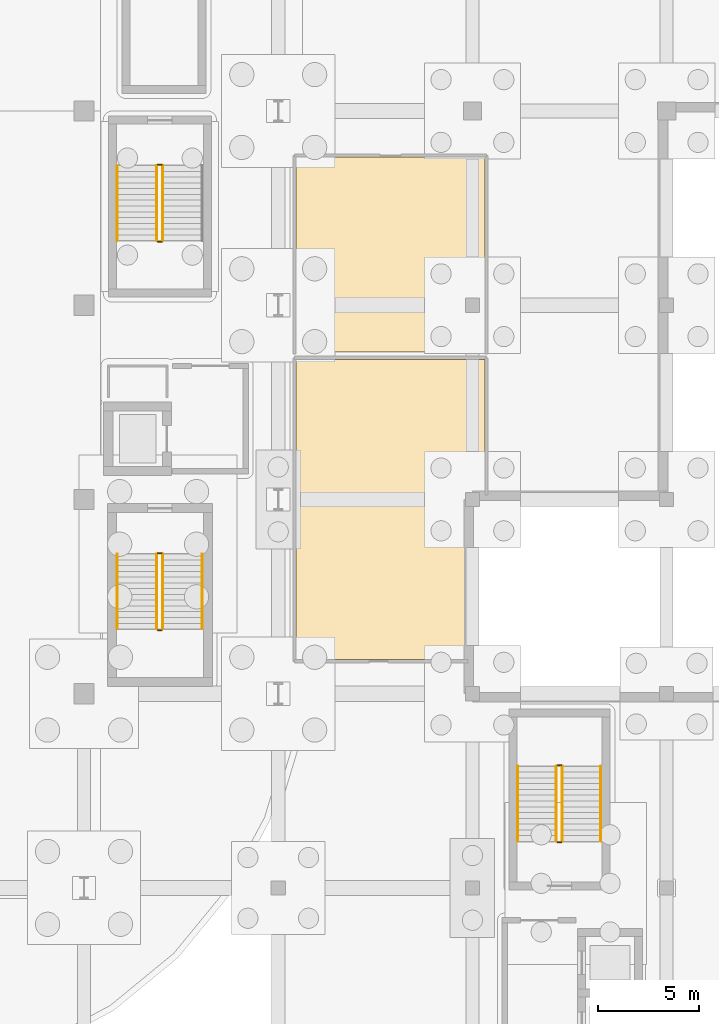
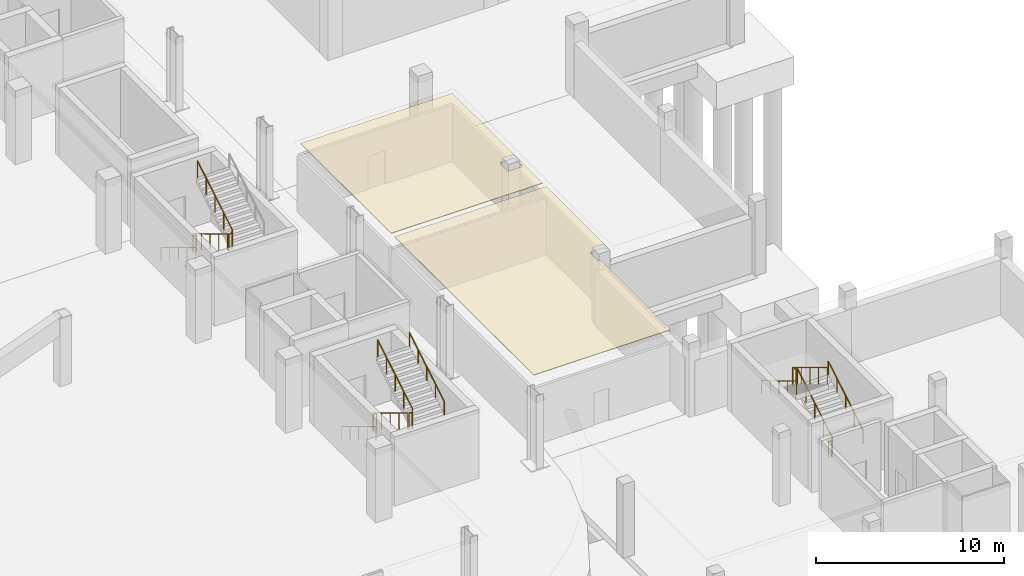
# One storey, part 57 of 67: 17 railings, 2 coverings.
"""IFC4 building model written with IfcOpenShell, lengths in metres."""

from ifc_helpers import new_model, si_unit, direction, frame, origin, origin_2d, place, context, subcontext, project, spatial, polyline, circle, outline, extrude, material, layer, layer_set, type_object, element, save


model = new_model("IFC4")

# Units and contexts
model_context = context("Model", 3, precision=1e-05, world=origin(), true_north=direction((0.0, 1.0)))
body_context = subcontext(model_context, "Body", "Model", "MODEL_VIEW")
ifc_project = project(units=[si_unit("LENGTHUNIT", "METRE"), si_unit("AREAUNIT", "SQUARE_METRE"), si_unit("VOLUMEUNIT", "CUBIC_METRE"), si_unit("PLANEANGLEUNIT", "RADIAN"), si_unit("MASSUNIT", "GRAM", prefix="KILO")], contexts=[model_context])

# Site, building, storey
site_placement = place(None, origin())
site = spatial("IfcSite", under=ifc_project, at=site_placement, CompositionType="ELEMENT")
building_placement = place(site_placement, origin())
building = spatial("IfcBuilding", under=site, at=building_placement, Name="Caelomonte Colonnade Arena", CompositionType="ELEMENT")
storey_placement = place(building_placement, frame((0.0, 0.0, -4.800048828125)))
storey = spatial("IfcBuildingStorey", under=building, at=storey_placement, Name="B1", CompositionType="ELEMENT", Elevation=-4.800048828125)

# Coverings
ifc_material_1 = material(Name="Perforated acoustic mineral-fibre ceiling")
ifc_layer = layer(ifc_material_1, 0.0400390625)
ifc_layer_set = layer_set([ifc_layer], Name="Perforated acoustic mineral-fibre ceiling")
covering_type = type_object("IfcCoveringType", Name="INT-CV-CEIL1", PredefinedType="CEILING", material=ifc_layer_set)
covering_1_placement = place(storey_placement, frame((0.0, 0.0, 4.420166015625)))
element("IfcCovering", 1, at=covering_1_placement, inside=storey, type_object=covering_type, Name="B1 Event Level Spectator Restroom acoustic ceiling", PredefinedType="CEILING", context=body_context, shape_type="SweptSolid", body=[
    extrude(outline(polyline([(173.24462890625, 48.372802734375), (173.2451171875, 48.364990234375), (173.2451171875, 48.300048828125), (173.419921875, 48.300048828125), (173.419921875, 54.919921875), (164.080078125, 54.919921875), (164.080078125, 40.080078125), (172.5, 40.080078125), (172.5, 47.554931640625), (172.43505859375, 47.554931640625), (172.42724609375, 47.555419921875), (172.41943359375, 47.556396484375), (172.411865234375, 47.558349609375), (172.404296875, 47.56103515625), (172.397216796875, 47.564453125), (172.390625, 47.568603515625), (172.38427734375, 47.5732421875), (172.37841796875, 47.578369140625), (172.373291015625, 47.584228515625), (172.368408203125, 47.590576171875), (172.364501953125, 47.597412109375), (172.361083984375, 47.6044921875), (172.3583984375, 47.61181640625), (172.3564453125, 47.619384765625), (172.35546875, 47.627197265625), (172.35498046875, 47.635009765625), (172.35498046875, 48.364990234375), (172.35546875, 48.372802734375), (172.3564453125, 48.380615234375), (172.3583984375, 48.38818359375), (172.361083984375, 48.3955078125), (172.364501953125, 48.402587890625), (172.368408203125, 48.409423828125), (172.373291015625, 48.415771484375), (172.37841796875, 48.421630859375), (172.38427734375, 48.4267578125), (172.390625, 48.431396484375), (172.397216796875, 48.435546875), (172.404296875, 48.43896484375), (172.411865234375, 48.441650390625), (172.41943359375, 48.443603515625), (172.42724609375, 48.444580078125), (172.43505859375, 48.445068359375), (173.1650390625, 48.445068359375), (173.1728515625, 48.444580078125), (173.1806640625, 48.443603515625), (173.188232421875, 48.441650390625), (173.195556640625, 48.43896484375), (173.20263671875, 48.435546875), (173.20947265625, 48.431396484375), (173.2158203125, 48.4267578125), (173.2216796875, 48.421630859375), (173.226806640625, 48.415771484375), (173.2314453125, 48.409423828125), (173.235595703125, 48.402587890625), (173.239013671875, 48.3955078125), (173.24169921875, 48.38818359375), (173.243408203125, 48.380615234375), (173.24462890625, 48.372802734375)])), origin(), (0.0, 0.0, 1.0), 0.039794921875),
])
covering_2_placement = place(storey_placement, frame((0.0, 0.0, 4.420166015625)))
element("IfcCovering", 2, at=covering_2_placement, inside=storey, type_object=covering_type, Name="B1 Event Level Accessible WC acoustic ceiling", PredefinedType="CEILING", context=body_context, shape_type="SweptSolid", body=[
    extrude(outline(polyline([(173.419921875, 64.919921875), (164.080078125, 64.919921875), (164.080078125, 55.280029296875), (173.419921875, 55.280029296875), (173.419921875, 64.919921875)]), holes=[polyline([(172.35546875, 57.227294921875), (172.35498046875, 57.235107421875), (172.35498046875, 57.965087890625), (172.35546875, 57.972900390625), (172.3564453125, 57.980712890625), (172.3583984375, 57.98828125), (172.361083984375, 57.99560546875), (172.364501953125, 58.002685546875), (172.368408203125, 58.009521484375), (172.373291015625, 58.015869140625), (172.37841796875, 58.021484375), (172.38427734375, 58.02685546875), (172.390625, 58.031494140625), (172.397216796875, 58.03564453125), (172.404296875, 58.038818359375), (172.411865234375, 58.04150390625), (172.41943359375, 58.04345703125), (172.42724609375, 58.044677734375), (172.43505859375, 58.044921875), (173.1650390625, 58.044921875), (173.1728515625, 58.044677734375), (173.1806640625, 58.04345703125), (173.188232421875, 58.04150390625), (173.195556640625, 58.038818359375), (173.20263671875, 58.03564453125), (173.20947265625, 58.031494140625), (173.2158203125, 58.02685546875), (173.2216796875, 58.021484375), (173.226806640625, 58.015869140625), (173.2314453125, 58.009521484375), (173.235595703125, 58.002685546875), (173.239013671875, 57.99560546875), (173.24169921875, 57.98828125), (173.243408203125, 57.980712890625), (173.24462890625, 57.972900390625), (173.2451171875, 57.965087890625), (173.2451171875, 57.235107421875), (173.24462890625, 57.227294921875), (173.243408203125, 57.219482421875), (173.24169921875, 57.2119140625), (173.239013671875, 57.204345703125), (173.235595703125, 57.197265625), (173.2314453125, 57.190673828125), (173.226806640625, 57.18408203125), (173.2216796875, 57.178466796875), (173.2158203125, 57.173095703125), (173.20947265625, 57.16845703125), (173.20263671875, 57.164306640625), (173.195556640625, 57.1611328125), (173.188232421875, 57.158447265625), (173.1806640625, 57.156494140625), (173.1728515625, 57.155517578125), (173.1650390625, 57.155029296875), (172.43505859375, 57.155029296875), (172.42724609375, 57.155517578125), (172.41943359375, 57.156494140625), (172.411865234375, 57.158447265625), (172.404296875, 57.1611328125), (172.397216796875, 57.164306640625), (172.390625, 57.16845703125), (172.38427734375, 57.173095703125), (172.37841796875, 57.178466796875), (172.373291015625, 57.18408203125), (172.368408203125, 57.190673828125), (172.364501953125, 57.197265625), (172.361083984375, 57.204345703125), (172.3583984375, 57.2119140625), (172.3564453125, 57.219482421875), (172.35546875, 57.227294921875)])]), origin(), (0.0, 0.0, 1.0), 0.039794921875),
])

# Railings
ifc_material_2 = material(Name="Painted galvanized steel stair guard", Category="steel")
railing_type_1 = type_object("IfcRailingType", Name="INT-RL-GRD", PredefinedType="GUARDRAIL", material=ifc_material_2)
railing_1_placement = place(storey_placement, frame((157.199951171875, 45.300048828125, 0.17138671875)))
element("IfcRailing", 3, at=railing_1_placement, inside=storey, type_object=railing_type_1, Name="B1 ST-02 stair guard 1", PredefinedType="GUARDRAIL", context=body_context, shape_type="SweptSolid", body=[
    extrude(circle(Radius=0.02392578125, at=origin_2d()), frame((0.0, 0.0, 1.076171875), z_axis=(0.0, -0.856909459561, 0.515466951525), x_axis=(1.0, 0.0, 0.0)), (0.0, 0.0, 1.0), 4.32373046875),
    extrude(circle(Radius=0.02099609375, at=origin_2d()), origin(), (0.0, 0.0, 1.0), 1.048095703125),
    extrude(circle(Radius=0.02099609375, at=origin_2d()), frame((0.0, -0.92626953125, 0.55712890625)), (0.0, 0.0, 1.0), 1.048095703125),
    extrude(circle(Radius=0.02099609375, at=origin_2d()), frame((0.0, -1.8525390625, 1.1142578125)), (0.0, 0.0, 1.0), 1.048095703125),
    extrude(circle(Radius=0.02099609375, at=origin_2d()), frame((0.0, -2.77880859375, 1.671630859375)), (0.0, 0.0, 1.0), 1.048095703125),
    extrude(circle(Radius=0.02099609375, at=origin_2d()), frame((0.0, -3.705078125, 2.228759765625)), (0.0, 0.0, 1.0), 1.048095703125),
])
railing_2_placement = place(storey_placement, frame((157.25, 41.544921875, 2.400146484375)))
element("IfcRailing", 4, at=railing_2_placement, inside=storey, type_object=railing_type_1, Name="B1 ST-02 stair guard 2", PredefinedType="GUARDRAIL", context=body_context, shape_type="SweptSolid", body=[
    extrude(circle(Radius=0.02392578125, at=origin_2d()), frame((0.0, 0.0, 1.076171875), z_axis=(1.0, 0.0, 0.0), x_axis=(0.0, 1.0, 0.0)), (0.0, 0.0, 1.0), 0.199951171875),
    extrude(circle(Radius=0.02099609375, at=origin_2d()), origin(), (0.0, 0.0, 1.0), 1.048095703125),
    extrude(circle(Radius=0.02099609375, at=origin_2d()), frame((0.199951171875, 0.0, 0.0)), (0.0, 0.0, 1.0), 1.048095703125),
])
railing_3_placement = place(storey_placement, frame((157.5, 41.594970703125, 2.571533203125)))
element("IfcRailing", 5, at=railing_3_placement, inside=storey, type_object=railing_type_1, Name="B1 ST-02 stair guard 3", PredefinedType="GUARDRAIL", context=body_context, shape_type="SweptSolid", body=[
    extrude(circle(Radius=0.02392578125, at=origin_2d()), frame((0.0, 0.0, 1.076171875), z_axis=(0.0, 0.856934400257, 0.515425487977), x_axis=(-1.0, 0.0, 0.0)), (0.0, 0.0, 1.0), 4.32373046875),
    extrude(circle(Radius=0.02099609375, at=origin_2d()), origin(), (0.0, 0.0, 1.0), 1.048095703125),
    extrude(circle(Radius=0.02099609375, at=origin_2d()), frame((0.0, 0.92626953125, 0.55712890625)), (0.0, 0.0, 1.0), 1.048095703125),
    extrude(circle(Radius=0.02099609375, at=origin_2d()), frame((0.0, 1.8525390625, 1.1142578125)), (0.0, 0.0, 1.0), 1.048095703125),
    extrude(circle(Radius=0.02099609375, at=origin_2d()), frame((0.0, 2.77880859375, 1.67138671875)), (0.0, 0.0, 1.0), 1.048095703125),
    extrude(circle(Radius=0.02099609375, at=origin_2d()), frame((0.0, 3.705078125, 2.228515625)), (0.0, 0.0, 1.0), 1.048095703125),
])
railing_4_placement = place(storey_placement, frame((157.25, 45.35009765625, 0.0)))
element("IfcRailing", 6, at=railing_4_placement, inside=storey, type_object=railing_type_1, Name="B1 ST-02 stair guard 4", PredefinedType="GUARDRAIL", context=body_context, shape_type="SweptSolid", body=[
    extrude(circle(Radius=0.02392578125, at=origin_2d()), frame((0.0, 0.0, 1.076171875), z_axis=(1.0, 0.0, 0.0), x_axis=(0.0, 1.0, 0.0)), (0.0, 0.0, 1.0), 0.199951171875),
    extrude(circle(Radius=0.02099609375, at=origin_2d()), origin(), (0.0, 0.0, 1.0), 1.048095703125),
    extrude(circle(Radius=0.02099609375, at=origin_2d()), frame((0.199951171875, 0.0, 0.0)), (0.0, 0.0, 1.0), 1.048095703125),
])
railing_5_placement = place(storey_placement, frame((177.25, 31.10009765625, 0.17138671875)))
element("IfcRailing", 7, at=railing_5_placement, inside=storey, type_object=railing_type_1, Name="B1 ST-05 stair guard 1", PredefinedType="GUARDRAIL", context=body_context, shape_type="SweptSolid", body=[
    extrude(circle(Radius=0.02392578125, at=origin_2d()), frame((0.0, 0.0, 1.076171875), z_axis=(0.0, 0.856894455432, 0.515491893485), x_axis=(-1.0, 0.0, 0.0)), (0.0, 0.0, 1.0), 4.323486328125),
    extrude(circle(Radius=0.02099609375, at=origin_2d()), origin(), (0.0, 0.0, 1.0), 1.048095703125),
    extrude(circle(Radius=0.02099609375, at=origin_2d()), frame((0.0, 0.92626953125, 0.55712890625)), (0.0, 0.0, 1.0), 1.048095703125),
    extrude(circle(Radius=0.02099609375, at=origin_2d()), frame((0.0, 1.8525390625, 1.1142578125)), (0.0, 0.0, 1.0), 1.048095703125),
    extrude(circle(Radius=0.02099609375, at=origin_2d()), frame((0.0, 2.778564453125, 1.671630859375)), (0.0, 0.0, 1.0), 1.048095703125),
    extrude(circle(Radius=0.02099609375, at=origin_2d()), frame((0.0, 3.704833984375, 2.228759765625)), (0.0, 0.0, 1.0), 1.048095703125),
])
railing_6_placement = place(storey_placement, frame((177.199951171875, 34.85498046875, 2.400146484375)))
element("IfcRailing", 8, at=railing_6_placement, inside=storey, type_object=railing_type_1, Name="B1 ST-05 stair guard 2", PredefinedType="GUARDRAIL", context=body_context, shape_type="SweptSolid", body=[
    extrude(circle(Radius=0.02392578125, at=origin_2d()), frame((0.0, 0.0, 1.076171875), z_axis=(-1.0, 0.0, 0.0), x_axis=(0.0, -1.0, 0.0)), (0.0, 0.0, 1.0), 0.199951171875),
    extrude(circle(Radius=0.02099609375, at=origin_2d()), origin(), (0.0, 0.0, 1.0), 1.048095703125),
    extrude(circle(Radius=0.02099609375, at=origin_2d()), frame((-0.199951171875, 0.0, 0.0)), (0.0, 0.0, 1.0), 1.048095703125),
])
railing_7_placement = place(storey_placement, frame((176.949951171875, 34.804931640625, 2.571533203125)))
element("IfcRailing", 9, at=railing_7_placement, inside=storey, type_object=railing_type_1, Name="B1 ST-05 stair guard 3", PredefinedType="GUARDRAIL", context=body_context, shape_type="SweptSolid", body=[
    extrude(circle(Radius=0.02392578125, at=origin_2d()), frame((0.0, 0.0, 1.076171875), z_axis=(0.0, -0.856919398105, 0.515450429384), x_axis=(1.0, 0.0, 0.0)), (0.0, 0.0, 1.0), 4.323486328125),
    extrude(circle(Radius=0.02099609375, at=origin_2d()), origin(), (0.0, 0.0, 1.0), 1.048095703125),
    extrude(circle(Radius=0.02099609375, at=origin_2d()), frame((0.0, -0.92626953125, 0.55712890625)), (0.0, 0.0, 1.0), 1.048095703125),
    extrude(circle(Radius=0.02099609375, at=origin_2d()), frame((0.0, -1.8525390625, 1.1142578125)), (0.0, 0.0, 1.0), 1.048095703125),
    extrude(circle(Radius=0.02099609375, at=origin_2d()), frame((0.0, -2.778564453125, 1.67138671875)), (0.0, 0.0, 1.0), 1.048095703125),
    extrude(circle(Radius=0.02099609375, at=origin_2d()), frame((0.0, -3.704833984375, 2.228515625)), (0.0, 0.0, 1.0), 1.048095703125),
])
railing_8_placement = place(storey_placement, frame((177.199951171875, 31.050048828125, 0.0)))
element("IfcRailing", 10, at=railing_8_placement, inside=storey, type_object=railing_type_1, Name="B1 ST-05 stair guard 4", PredefinedType="GUARDRAIL", context=body_context, shape_type="SweptSolid", body=[
    extrude(circle(Radius=0.02392578125, at=origin_2d()), frame((0.0, 0.0, 1.076171875), z_axis=(-1.0, 0.0, 0.0), x_axis=(0.0, -1.0, 0.0)), (0.0, 0.0, 1.0), 0.199951171875),
    extrude(circle(Radius=0.02099609375, at=origin_2d()), origin(), (0.0, 0.0, 1.0), 1.048095703125),
    extrude(circle(Radius=0.02099609375, at=origin_2d()), frame((-0.199951171875, 0.0, 0.0)), (0.0, 0.0, 1.0), 1.048095703125),
])
railing_9_placement = place(storey_placement, frame((157.199951171875, 64.5, 0.17138671875)))
element("IfcRailing", 11, at=railing_9_placement, inside=storey, type_object=railing_type_1, Name="B1 ST-10 stair guard 1", PredefinedType="GUARDRAIL", context=body_context, shape_type="SweptSolid", body=[
    extrude(circle(Radius=0.02392578125, at=origin_2d()), frame((0.0, 0.0, 1.076171875), z_axis=(0.0, -0.856909459561, 0.515466951525), x_axis=(1.0, 0.0, 0.0)), (0.0, 0.0, 1.0), 4.32373046875),
    extrude(circle(Radius=0.02099609375, at=origin_2d()), origin(), (0.0, 0.0, 1.0), 1.048095703125),
    extrude(circle(Radius=0.02099609375, at=origin_2d()), frame((0.0, -0.92626953125, 0.55712890625)), (0.0, 0.0, 1.0), 1.048095703125),
    extrude(circle(Radius=0.02099609375, at=origin_2d()), frame((0.0, -1.8525390625, 1.1142578125)), (0.0, 0.0, 1.0), 1.048095703125),
    extrude(circle(Radius=0.02099609375, at=origin_2d()), frame((0.0, -2.77880859375, 1.671630859375)), (0.0, 0.0, 1.0), 1.048095703125),
    extrude(circle(Radius=0.02099609375, at=origin_2d()), frame((0.0, -3.705078125, 2.228759765625)), (0.0, 0.0, 1.0), 1.048095703125),
])
railing_10_placement = place(storey_placement, frame((157.25, 60.7451171875, 2.400146484375)))
element("IfcRailing", 12, at=railing_10_placement, inside=storey, type_object=railing_type_1, Name="B1 ST-10 stair guard 2", PredefinedType="GUARDRAIL", context=body_context, shape_type="SweptSolid", body=[
    extrude(circle(Radius=0.02392578125, at=origin_2d()), frame((0.0, 0.0, 1.076171875), z_axis=(1.0, 0.0, 0.0), x_axis=(0.0, 1.0, 0.0)), (0.0, 0.0, 1.0), 0.199951171875),
    extrude(circle(Radius=0.02099609375, at=origin_2d()), origin(), (0.0, 0.0, 1.0), 1.048095703125),
    extrude(circle(Radius=0.02099609375, at=origin_2d()), frame((0.199951171875, 0.0, 0.0)), (0.0, 0.0, 1.0), 1.048095703125),
])
railing_11_placement = place(storey_placement, frame((157.5, 60.794921875, 2.571533203125)))
element("IfcRailing", 13, at=railing_11_placement, inside=storey, type_object=railing_type_1, Name="B1 ST-10 stair guard 3", PredefinedType="GUARDRAIL", context=body_context, shape_type="SweptSolid", body=[
    extrude(circle(Radius=0.02392578125, at=origin_2d()), frame((0.0, 0.0, 1.076171875), z_axis=(0.0, 0.856934400257, 0.515425487977), x_axis=(-1.0, 0.0, 0.0)), (0.0, 0.0, 1.0), 4.32373046875),
    extrude(circle(Radius=0.02099609375, at=origin_2d()), origin(), (0.0, 0.0, 1.0), 1.048095703125),
    extrude(circle(Radius=0.02099609375, at=origin_2d()), frame((0.0, 0.92626953125, 0.55712890625)), (0.0, 0.0, 1.0), 1.048095703125),
    extrude(circle(Radius=0.02099609375, at=origin_2d()), frame((0.0, 1.8525390625, 1.1142578125)), (0.0, 0.0, 1.0), 1.048095703125),
    extrude(circle(Radius=0.02099609375, at=origin_2d()), frame((0.0, 2.77880859375, 1.67138671875)), (0.0, 0.0, 1.0), 1.048095703125),
    extrude(circle(Radius=0.02099609375, at=origin_2d()), frame((0.0, 3.705078125, 2.228515625)), (0.0, 0.0, 1.0), 1.048095703125),
])
railing_12_placement = place(storey_placement, frame((157.25, 64.550048828125, 0.0)))
element("IfcRailing", 14, at=railing_12_placement, inside=storey, type_object=railing_type_1, Name="B1 ST-10 stair guard 4", PredefinedType="GUARDRAIL", context=body_context, shape_type="SweptSolid", body=[
    extrude(circle(Radius=0.02392578125, at=origin_2d()), frame((0.0, 0.0, 1.076171875), z_axis=(1.0, 0.0, 0.0), x_axis=(0.0, 1.0, 0.0)), (0.0, 0.0, 1.0), 0.199951171875),
    extrude(circle(Radius=0.02099609375, at=origin_2d()), origin(), (0.0, 0.0, 1.0), 1.048095703125),
    extrude(circle(Radius=0.02099609375, at=origin_2d()), frame((0.199951171875, 0.0, 0.0)), (0.0, 0.0, 1.0), 1.048095703125),
])
ifc_material_3 = material(Name="Brushed stainless steel stair handrail", Category="steel")
railing_type_2 = type_object("IfcRailingType", Name="INT-RL-HR", PredefinedType="HANDRAIL", material=ifc_material_3)
railing_13_placement = place(storey_placement, frame((155.25, 45.300048828125, 0.17138671875)))
element("IfcRailing", 15, at=railing_13_placement, inside=storey, type_object=railing_type_2, Name="B1 ST-02 stair handrail 1", PredefinedType="HANDRAIL", context=body_context, shape_type="SweptSolid", body=[
    extrude(circle(Radius=0.02392578125, at=origin_2d()), frame((0.0, 0.0, 0.8759765625), z_axis=(0.0, -0.856909459561, 0.515466951525), x_axis=(1.0, 0.0, 0.0)), (0.0, 0.0, 1.0), 4.32373046875),
    extrude(circle(Radius=0.02099609375, at=origin_2d()), origin(), (0.0, 0.0, 1.0), 0.847900390625),
    extrude(circle(Radius=0.02099609375, at=origin_2d()), frame((0.0, -0.92626953125, 0.55712890625)), (0.0, 0.0, 1.0), 0.847900390625),
    extrude(circle(Radius=0.02099609375, at=origin_2d()), frame((0.0, -1.8525390625, 1.1142578125)), (0.0, 0.0, 1.0), 0.847900390625),
    extrude(circle(Radius=0.02099609375, at=origin_2d()), frame((0.0, -2.77880859375, 1.671630859375)), (0.0, 0.0, 1.0), 0.847900390625),
    extrude(circle(Radius=0.02099609375, at=origin_2d()), frame((0.0, -3.705078125, 2.228759765625)), (0.0, 0.0, 1.0), 0.847900390625),
])
railing_14_placement = place(storey_placement, frame((159.449951171875, 41.594970703125, 2.571533203125)))
element("IfcRailing", 16, at=railing_14_placement, inside=storey, type_object=railing_type_2, Name="B1 ST-02 stair handrail 2", PredefinedType="HANDRAIL", context=body_context, shape_type="SweptSolid", body=[
    extrude(circle(Radius=0.02392578125, at=origin_2d()), frame((0.0, 0.0, 0.8759765625), z_axis=(0.0, 0.856934400257, 0.515425487977), x_axis=(-1.0, 0.0, 0.0)), (0.0, 0.0, 1.0), 4.32373046875),
    extrude(circle(Radius=0.02099609375, at=origin_2d()), origin(), (0.0, 0.0, 1.0), 0.847900390625),
    extrude(circle(Radius=0.02099609375, at=origin_2d()), frame((0.0, 0.92626953125, 0.55712890625)), (0.0, 0.0, 1.0), 0.847900390625),
    extrude(circle(Radius=0.02099609375, at=origin_2d()), frame((0.0, 1.8525390625, 1.1142578125)), (0.0, 0.0, 1.0), 0.847900390625),
    extrude(circle(Radius=0.02099609375, at=origin_2d()), frame((0.0, 2.77880859375, 1.67138671875)), (0.0, 0.0, 1.0), 0.847900390625),
    extrude(circle(Radius=0.02099609375, at=origin_2d()), frame((0.0, 3.705078125, 2.228515625)), (0.0, 0.0, 1.0), 0.847900390625),
])
railing_15_placement = place(storey_placement, frame((179.14990234375, 31.10009765625, 0.17138671875)))
element("IfcRailing", 17, at=railing_15_placement, inside=storey, type_object=railing_type_2, Name="B1 ST-05 stair handrail 1", PredefinedType="HANDRAIL", context=body_context, shape_type="SweptSolid", body=[
    extrude(circle(Radius=0.02392578125, at=origin_2d()), frame((0.0, 0.0, 0.8759765625), z_axis=(0.0, 0.856894455432, 0.515491893485), x_axis=(-1.0, 0.0, 0.0)), (0.0, 0.0, 1.0), 4.323486328125),
    extrude(circle(Radius=0.02099609375, at=origin_2d()), origin(), (0.0, 0.0, 1.0), 0.847900390625),
    extrude(circle(Radius=0.02099609375, at=origin_2d()), frame((0.0, 0.92626953125, 0.55712890625)), (0.0, 0.0, 1.0), 0.847900390625),
    extrude(circle(Radius=0.02099609375, at=origin_2d()), frame((0.0, 1.8525390625, 1.1142578125)), (0.0, 0.0, 1.0), 0.847900390625),
    extrude(circle(Radius=0.02099609375, at=origin_2d()), frame((0.0, 2.778564453125, 1.671630859375)), (0.0, 0.0, 1.0), 0.847900390625),
    extrude(circle(Radius=0.02099609375, at=origin_2d()), frame((0.0, 3.704833984375, 2.228759765625)), (0.0, 0.0, 1.0), 0.847900390625),
])
railing_16_placement = place(storey_placement, frame((175.050048828125, 34.804931640625, 2.571533203125)))
element("IfcRailing", 18, at=railing_16_placement, inside=storey, type_object=railing_type_2, Name="B1 ST-05 stair handrail 2", PredefinedType="HANDRAIL", context=body_context, shape_type="SweptSolid", body=[
    extrude(circle(Radius=0.02392578125, at=origin_2d()), frame((0.0, 0.0, 0.8759765625), z_axis=(0.0, -0.856919398105, 0.515450429384), x_axis=(1.0, 0.0, 0.0)), (0.0, 0.0, 1.0), 4.323486328125),
    extrude(circle(Radius=0.02099609375, at=origin_2d()), origin(), (0.0, 0.0, 1.0), 0.847900390625),
    extrude(circle(Radius=0.02099609375, at=origin_2d()), frame((0.0, -0.92626953125, 0.55712890625)), (0.0, 0.0, 1.0), 0.847900390625),
    extrude(circle(Radius=0.02099609375, at=origin_2d()), frame((0.0, -1.8525390625, 1.1142578125)), (0.0, 0.0, 1.0), 0.847900390625),
    extrude(circle(Radius=0.02099609375, at=origin_2d()), frame((0.0, -2.778564453125, 1.67138671875)), (0.0, 0.0, 1.0), 0.847900390625),
    extrude(circle(Radius=0.02099609375, at=origin_2d()), frame((0.0, -3.704833984375, 2.228515625)), (0.0, 0.0, 1.0), 0.847900390625),
])
railing_17_placement = place(storey_placement, frame((155.25, 64.5, 0.17138671875)))
element("IfcRailing", 19, at=railing_17_placement, inside=storey, type_object=railing_type_2, Name="B1 ST-10 stair handrail 1", PredefinedType="HANDRAIL", context=body_context, shape_type="SweptSolid", body=[
    extrude(circle(Radius=0.02392578125, at=origin_2d()), frame((0.0, 0.0, 0.8759765625), z_axis=(0.0, -0.856909459561, 0.515466951525), x_axis=(1.0, 0.0, 0.0)), (0.0, 0.0, 1.0), 4.32373046875),
    extrude(circle(Radius=0.02099609375, at=origin_2d()), origin(), (0.0, 0.0, 1.0), 0.847900390625),
    extrude(circle(Radius=0.02099609375, at=origin_2d()), frame((0.0, -0.92626953125, 0.55712890625)), (0.0, 0.0, 1.0), 0.847900390625),
    extrude(circle(Radius=0.02099609375, at=origin_2d()), frame((0.0, -1.8525390625, 1.1142578125)), (0.0, 0.0, 1.0), 0.847900390625),
    extrude(circle(Radius=0.02099609375, at=origin_2d()), frame((0.0, -2.77880859375, 1.671630859375)), (0.0, 0.0, 1.0), 0.847900390625),
    extrude(circle(Radius=0.02099609375, at=origin_2d()), frame((0.0, -3.705078125, 2.228759765625)), (0.0, 0.0, 1.0), 0.847900390625),
])

save(model, "model.ifc")
